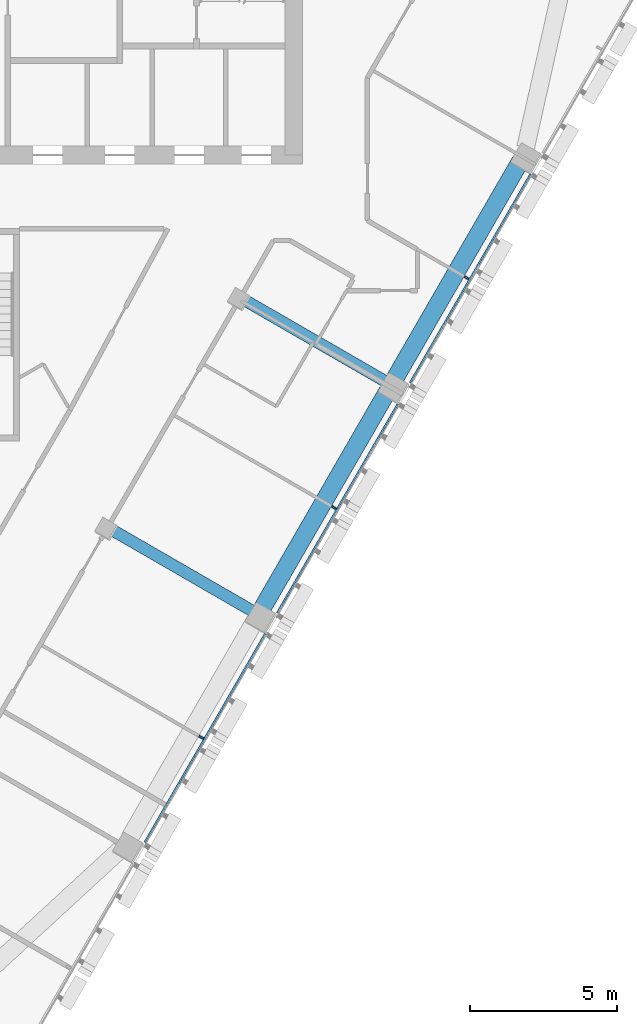
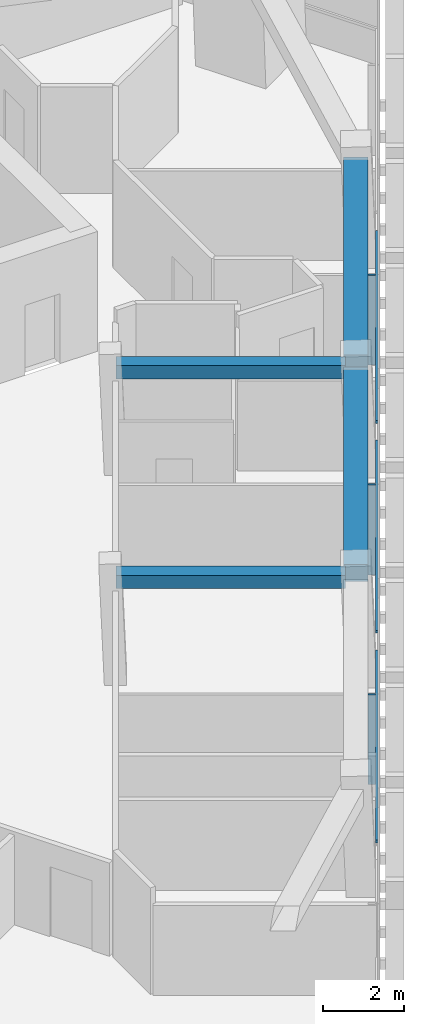
# One storey, part 4 of 14: 6 members, 4 beams, 1 element without a shape of its own.
"""IFC4 building model written with IfcOpenShell, lengths in metres."""

from ifc_helpers import new_model, si_unit, direction, frame, origin, origin_2d, place, context, subcontext, project, spatial, rectangle, extrude, material, layer, layer_set, material_profile, profile_set, type_object, element, aggregate, save


model = new_model("IFC4")

# Units and contexts
model_context = context("Model", 3, precision=1e-05, world=origin(), true_north=direction((0.0, 1.0)))
body_context = subcontext(model_context, "Body", "Model", "MODEL_VIEW")
ifc_project = project(units=[si_unit("LENGTHUNIT", "METRE"), si_unit("AREAUNIT", "SQUARE_METRE"), si_unit("VOLUMEUNIT", "CUBIC_METRE"), si_unit("PLANEANGLEUNIT", "RADIAN"), si_unit("MASSUNIT", "GRAM", prefix="KILO")], contexts=[model_context])

# Site, building, storey
site_placement = place(None, origin())
site = spatial("IfcSite", under=ifc_project, at=site_placement, CompositionType="ELEMENT")
building_placement = place(site_placement, origin())
building = spatial("IfcBuilding", under=site, at=building_placement, Name="Altiplano Prism Tower", CompositionType="ELEMENT")
storey_placement = place(building_placement, frame((0.0, 0.0, 223.0)))
storey = spatial("IfcBuildingStorey", under=building, at=storey_placement, Name="L57", CompositionType="ELEMENT", Elevation=223.0)

# Curtain wall, members
ifc_material_1 = material(Name="Aluminium and glass", Category="aluminium")
ifc_layer = layer(ifc_material_1, 0.280029296875)
ifc_layer_set = layer_set([ifc_layer], Name="Aluminium and glass")
curtain_wall_type = type_object("IfcCurtainWallType", Name="CW1 typical co-living unitised curtain wall", PredefinedType="NOTDEFINED", material=ifc_layer_set)
curtain_wall_placement = place(storey_placement, origin())
curtain_wall = element("IfcCurtainWall", 1, at=curtain_wall_placement, inside=storey, type_object=curtain_wall_type, Name="CW1 curtain wall south-east face L57", PredefinedType="NOTDEFINED")
ifc_material_2 = material(Name="Aluminium", Category="aluminium")
ifc_material_profile_1 = material_profile(ifc_material_2, rectangle(XDim=0.179931640625, YDim=0.06494140625, at=origin_2d()), Name="CW1 mullion 65 x 180")
ifc_profile_set_1 = profile_set([ifc_material_profile_1], Name="Aluminium")
member_type_1 = type_object("IfcMemberType", Name="CW1 mullion 65 x 180", PredefinedType="MULLION", material=ifc_profile_set_1)
member_1_placement = place(storey_placement, frame((94.1669921875, 73.34375, 0.0), z_axis=(0.0, 0.0, 1.0), x_axis=(-0.866025408567, 0.499999991717, 0.0)))
member_1 = element("IfcMember", 2, at=member_1_placement, type_object=member_type_1, Name="CW1 mullion", PredefinedType="MULLION", context=body_context, shape_type="SweptSolid", body=[
    extrude(rectangle(XDim=0.179931640625, YDim=0.06494140625, at=origin_2d()), origin(), (0.0, 0.0, 1.0), 2.699951171875),
])
member_2_placement = place(storey_placement, frame((98.6669921875, 81.13818359375, 0.0), z_axis=(0.0, 0.0, 1.0), x_axis=(-0.866025408567, 0.499999991717, 0.0)))
member_2 = element("IfcMember", 3, at=member_2_placement, type_object=member_type_1, Name="CW1 mullion", PredefinedType="MULLION", context=body_context, shape_type="SweptSolid", body=[
    extrude(rectangle(XDim=0.179931640625, YDim=0.06494140625, at=origin_2d()), origin(), (0.0, 0.0, 1.0), 2.699951171875),
])
member_3_placement = place(storey_placement, frame((103.1669921875, 88.932373046875, 0.0), z_axis=(0.0, 0.0, 1.0), x_axis=(-0.866025408567, 0.499999991717, 0.0)))
member_3 = element("IfcMember", 4, at=member_3_placement, type_object=member_type_1, Name="CW1 mullion", PredefinedType="MULLION", context=body_context, shape_type="SweptSolid", body=[
    extrude(rectangle(XDim=0.179931640625, YDim=0.06494140625, at=origin_2d()), origin(), (0.0, 0.0, 1.0), 2.699951171875),
])
ifc_material_profile_2 = material_profile(ifc_material_2, rectangle(XDim=0.06005859375, YDim=0.080078125, at=origin_2d()), Name="CW1 transom 80 x 60")
ifc_profile_set_2 = profile_set([ifc_material_profile_2], Name="Aluminium")
member_type_2 = type_object("IfcMemberType", Name="CW1 transom 80 x 60", PredefinedType="USERDEFINED", material=ifc_profile_set_2)
member_4_placement = place(storey_placement, frame((92.248291015625, 69.7802734375, 1.10009765625), z_axis=(0.499995783154, 0.866027838368, 0.0), x_axis=(-0.866027838368, 0.499995783154, 0.0)))
member_4 = element("IfcMember", 5, at=member_4_placement, type_object=member_type_2, Name="CW1 transom", ObjectType="TRANSOM", PredefinedType="USERDEFINED", context=body_context, shape_type="SweptSolid", body=[
    extrude(rectangle(XDim=0.06005859375, YDim=0.080078125, at=origin_2d()), origin(), (0.0, 0.0, 1.0), 8.169921875),
])
member_5_placement = place(storey_placement, frame((96.748291015625, 77.57470703125, 1.10009765625), z_axis=(0.500008722908, 0.866020367552, 0.0), x_axis=(-0.866020367552, 0.500008722908, 0.0)))
member_5 = element("IfcMember", 6, at=member_5_placement, type_object=member_type_2, Name="CW1 transom", ObjectType="TRANSOM", PredefinedType="USERDEFINED", context=body_context, shape_type="SweptSolid", body=[
    extrude(rectangle(XDim=0.06005859375, YDim=0.080078125, at=origin_2d()), origin(), (0.0, 0.0, 1.0), 8.169677734375),
])
member_6_placement = place(storey_placement, frame((101.248291015625, 85.368896484375, 1.10009765625), z_axis=(0.500008722908, 0.866020367552, 0.0), x_axis=(-0.866020367552, 0.500008722908, 0.0)))
member_6 = element("IfcMember", 7, at=member_6_placement, type_object=member_type_2, Name="CW1 transom", ObjectType="TRANSOM", PredefinedType="USERDEFINED", context=body_context, shape_type="SweptSolid", body=[
    extrude(rectangle(XDim=0.06005859375, YDim=0.080078125, at=origin_2d()), origin(), (0.0, 0.0, 1.0), 8.169677734375),
])
aggregate(curtain_wall, [member_1, member_4, member_2, member_5, member_3, member_6])

# Beams
ifc_material_3 = material(Name="Concrete C60/75", Category="concrete")
ifc_material_profile_3 = material_profile(ifc_material_3, rectangle(XDim=0.60009765625, YDim=0.5, at=origin_2d()), Name="Edge beam 600x500")
ifc_profile_set_3 = profile_set([ifc_material_profile_3], Name="Concrete C60/75")
beam_type_1 = type_object("IfcBeamType", Name="Edge beam 600x500", PredefinedType="SPANDREL", material=ifc_profile_set_3)
beam_1_placement = place(storey_placement, frame((96.2392578125, 77.730224609375, 2.949951171875), z_axis=(0.499998747907, 0.86602612668, 0.0), x_axis=(-0.86602612668, 0.499998747907, 0.0)))
element("IfcBeam", 8, at=beam_1_placement, inside=storey, type_object=beam_type_1, Name="Edge beam P22-P23 L58", PredefinedType="SPANDREL", context=body_context, shape_type="SweptSolid", body=[
    extrude(rectangle(XDim=0.60009765625, YDim=0.5, at=origin_2d()), origin(), (0.0, 0.0, 1.0), 8.490234375),
])
beam_2_placement = place(storey_placement, frame((100.7392578125, 85.524658203125, 2.949951171875), z_axis=(0.500011199594, 0.866018937599, 0.0), x_axis=(-0.866018937599, 0.500011199594, 0.0)))
element("IfcBeam", 9, at=beam_2_placement, inside=storey, type_object=beam_type_1, Name="Edge beam P23-P24 L58", PredefinedType="SPANDREL", context=body_context, shape_type="SweptSolid", body=[
    extrude(rectangle(XDim=0.60009765625, YDim=0.5, at=origin_2d()), origin(), (0.0, 0.0, 1.0), 8.489990234375),
])
ifc_material_profile_4 = material_profile(ifc_material_3, rectangle(XDim=0.39990234375, YDim=0.39990234375, at=origin_2d()), Name="Tie beam 400x400")
ifc_profile_set_4 = profile_set([ifc_material_profile_4], Name="Concrete C60/75")
beam_type_2 = type_object("IfcBeamType", Name="Tie beam 400x400", PredefinedType="BEAM", material=ifc_profile_set_4)
for number, where, z_axis, x_axis, name in (
    (10, (91.006591796875, 80.45703125, 3.0), (0.866026281646, -0.499998479497, 0.0), (0.499998479497, 0.866026281646, 0.0), "Tie beam I22 L58"),
    (11, (95.506591796875, 88.251220703125, 3.0), (0.866026281646, -0.499998479497, 0.0), (0.499998479497, 0.866026281646, 0.0), "Tie beam I23 L58"),
):
    element("IfcBeam", number, at=place(storey_placement, frame(where, z_axis=z_axis, x_axis=x_axis)), inside=storey, type_object=beam_type_2, Name=name, PredefinedType="BEAM", context=body_context, shape_type="SweptSolid", body=[
        extrude(rectangle(XDim=0.39990234375, YDim=0.39990234375, at=origin_2d()), origin(), (0.0, 0.0, 1.0), 5.64013671875),
    ])

save(model, "model.ifc")
